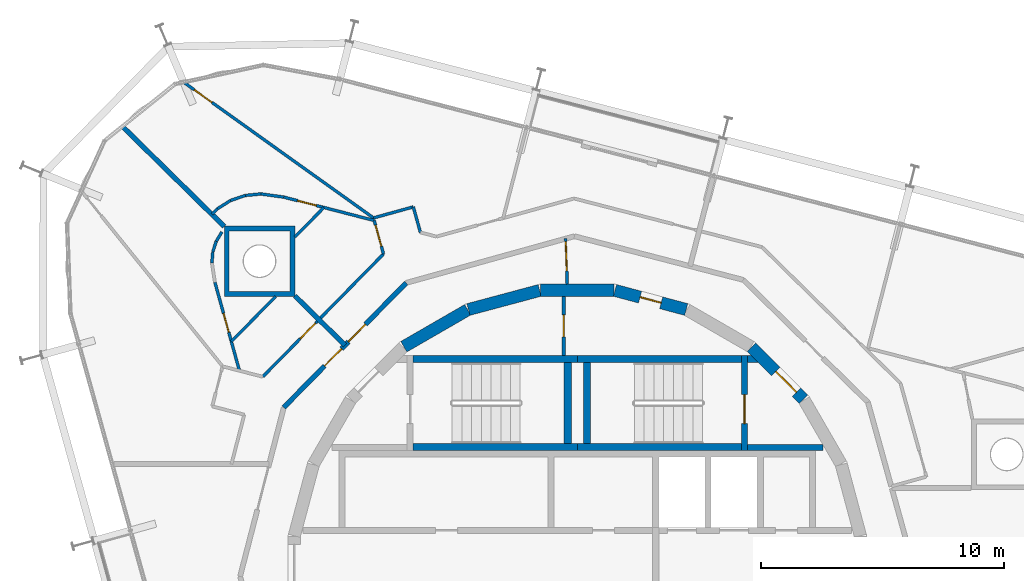
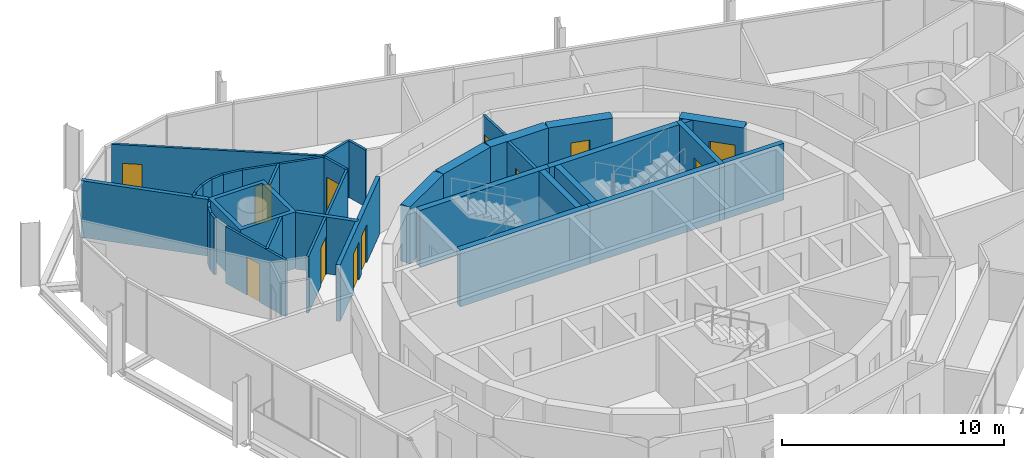
# One storey, part 13 of 15: 37 walls, 12 doors, 12 openings.
"""IFC4 building model written with IfcOpenShell, lengths in metres."""

from ifc_helpers import new_model, si_unit, direction, frame, frame_2d, origin, place, context, subcontext, project, spatial, polyline, rectangle, outline, extrude, material, layer, layer_set, type_object, element, fill, save


model = new_model("IFC4")

# Units and contexts
model_context = context("Model", 3, precision=1e-05, world=origin(), true_north=direction((0.0, 1.0)))
body_context = subcontext(model_context, "Body", "Model", "MODEL_VIEW")
ifc_project = project(units=[si_unit("LENGTHUNIT", "METRE"), si_unit("AREAUNIT", "SQUARE_METRE"), si_unit("VOLUMEUNIT", "CUBIC_METRE"), si_unit("PLANEANGLEUNIT", "RADIAN"), si_unit("MASSUNIT", "GRAM", prefix="KILO")], contexts=[model_context])

# Site, building, storey
site_placement = place(None, origin())
site = spatial("IfcSite", under=ifc_project, at=site_placement, CompositionType="ELEMENT")
building_placement = place(site_placement, origin())
building = spatial("IfcBuilding", under=site, at=building_placement, Name="Spindle Arch Residences", CompositionType="ELEMENT")
storey_placement = place(building_placement, frame((0.0, 0.0, 305.199951171875)))
storey = spatial("IfcBuildingStorey", under=building, at=storey_placement, Name="L78", CompositionType="ELEMENT", Elevation=305.199951171875)

# Wall, opening, door
ifc_material_1 = material(Name="Concrete C50/60", Category="concrete")
ifc_layer_1 = layer(ifc_material_1, 0.5)
ifc_layer_set_1 = layer_set([ifc_layer_1], Name="Core outline wall 500")
wall_type_1 = type_object("IfcWallType", Name="Core outline wall 500", PredefinedType="SHEAR", material=ifc_layer_set_1)
wall_1_placement = place(storey_placement, frame((9.30810546875, 7.163818359375, 0.0), z_axis=(0.0, 0.0, 1.0), x_axis=(-0.707106781187, 0.707106781187, 0.0)))
wall_1 = element("IfcWall", 1, at=wall_1_placement, inside=storey, type_object=wall_type_1, Name="Core outline wall 9", PredefinedType="SHEAR", context=body_context, shape_type="SweptSolid", body=[
    extrude(rectangle(XDim=3.032470703125, YDim=0.5, at=frame_2d((1.51611328125, 0.0))), origin(), (0.0, 0.0, 1.0), 3.1201171875),
])
opening_1_placement = place(wall_1_placement, frame((0.416259765625, 0.0, 0.0)))
opening_1 = element("IfcOpeningElement", 2, at=opening_1_placement, cuts=wall_1, Name="Opening R8A0-AD01", PredefinedType="OPENING", context=body_context, shape_type="SweptSolid", body=[
    extrude(rectangle(XDim=1.199951171875, YDim=2.10009765625, at=frame_2d((0.60009765625, 1.050048828125))), frame((0.0, 0.260009765625, 0.0), z_axis=(0.0, -1.0, 0.0), x_axis=(1.0, 0.0, 0.0)), (0.0, 0.0, 1.0), 0.52001953125),
])
ifc_material_2 = material(Name="Steel, fire-resisting door", Category="steel")
door_type_1 = type_object("IfcDoorType", Name="Stair airlock door 1200x2100", OperationType="SINGLE_SWING_LEFT", PredefinedType="DOOR", material=ifc_material_2)
door_1_placement = place(opening_1_placement, origin())
door_1 = element("IfcDoor", 3, at=door_1_placement, inside=storey, type_object=door_type_1, Name="Stair airlock door R8A0-AD01", OperationType="SINGLE_SWING_RIGHT", OverallHeight=2.10009765625, OverallWidth=1.199951171875, PredefinedType="DOOR", context=body_context, shape_type="SweptSolid", body=[
    extrude(rectangle(XDim=1.199951171875, YDim=2.10009765625, at=frame_2d((0.60009765625, 1.050048828125))), frame((0.0, 0.02490234375, 0.0), z_axis=(0.0, -1.0, 0.0), x_axis=(1.0, 0.0, 0.0)), (0.0, 0.0, 1.0), 0.050048828125),
])
fill(opening_1, door_1)

wall_2_placement = place(storey_placement, frame((4.479248046875, 10.858154296875, 0.0), z_axis=(0.0, 0.0, 1.0), x_axis=(-0.965948410781, 0.258734743916, 0.0)))
wall_2 = element("IfcWall", 4, at=wall_2_placement, inside=storey, type_object=wall_type_1, Name="Core outline wall 11", PredefinedType="SHEAR", context=body_context, shape_type="SweptSolid", body=[
    extrude(rectangle(XDim=3.03271484375, YDim=0.5, at=frame_2d((1.516357421875, 0.0))), origin(), (0.0, 0.0, 1.0), 3.1201171875),
])
opening_2_placement = place(wall_2_placement, frame((1.066162109375, 0.0, 0.0)))
opening_2 = element("IfcOpeningElement", 5, at=opening_2_placement, cuts=wall_2, Name="Opening R8A0-WD11", PredefinedType="OPENING", context=body_context, shape_type="SweptSolid", body=[
    extrude(rectangle(XDim=0.89990234375, YDim=2.10009765625, at=frame_2d((0.449951171875, 1.050048828125))), frame((0.0, 0.260009765625, 0.0), z_axis=(0.0, -1.0, 0.0), x_axis=(1.0, 0.0, 0.0)), (0.0, 0.0, 1.0), 0.52001953125),
])
ifc_material_3 = material(Name="Steel, fire-resisting door", Category="steel")
door_type_2 = type_object("IfcDoorType", Name="Service room door 900x2100", OperationType="SINGLE_SWING_LEFT", PredefinedType="DOOR", material=ifc_material_3)
door_2_placement = place(opening_2_placement, origin())
door_2 = element("IfcDoor", 6, at=door_2_placement, inside=storey, type_object=door_type_2, Name="Service room door R8A0-WD11", OperationType="SINGLE_SWING_LEFT", OverallHeight=2.10009765625, OverallWidth=0.89990234375, PredefinedType="DOOR", context=body_context, shape_type="SweptSolid", body=[
    extrude(rectangle(XDim=0.89990234375, YDim=2.10009765625, at=frame_2d((0.449951171875, 1.050048828125))), frame((0.0, 0.02490234375, 0.0), z_axis=(0.0, -1.0, 0.0), x_axis=(1.0, 0.0, 0.0)), (0.0, 0.0, 1.0), 0.050048828125),
])
fill(opening_2, door_2)

# Walls
for number, where, z_axis, x_axis, name in (
    (7, (1.516357421875, 11.647216796875, 0.0), (0.0, 0.0, 1.0), (-1.0, 0.0, 0.0), "Core outline wall 12"),
    (8, (-1.5498046875, 11.642822265625, 0.0), (0.0, 0.0, 1.0), (-0.965948410781, -0.258734743916, 0.0), "Core outline wall 13"),
    (9, (-4.510498046875, 10.84521484375, 0.0), (0.0, 0.0, 1.0), (-0.865975092491, -0.500087131594, 0.0), "Core outline wall 14"),
):
    element("IfcWall", number, at=place(storey_placement, frame(where, z_axis=z_axis, x_axis=x_axis)), inside=storey, type_object=wall_type_1, Name=name, PredefinedType="SHEAR", context=body_context, shape_type="SweptSolid", body=[
        extrude(rectangle(XDim=3.03271484375, YDim=0.5, at=frame_2d((1.516357421875, 0.0))), origin(), (0.0, 0.0, 1.0), 3.1201171875),
    ])

# Wall, opening, door
ifc_material_4 = material(Name="Plasterboard on steel studs", Category="steel")
ifc_layer_2 = layer(ifc_material_4, 0.1201171875)
ifc_layer_set_2 = layer_set([ifc_layer_2], Name="Corridor division wall 120")
wall_type_2 = type_object("IfcWallType", Name="Corridor division wall 120", PredefinedType="PARTITIONING", material=ifc_layer_set_2)
wall_3_placement = place(storey_placement, frame((-0.48095703125, 13.7724609375, 0.0), z_axis=(0.0, 0.0, 1.0), x_axis=(0.034870071203, -0.999391854146, 0.0)))
wall_3 = element("IfcWall", 10, at=wall_3_placement, inside=storey, type_object=wall_type_2, Name="Corridor division wall R8A0-W001", PredefinedType="PARTITIONING", context=body_context, shape_type="SweptSolid", body=[
    extrude(rectangle(XDim=1.87646484375, YDim=0.1201171875, at=frame_2d((0.938232421875, 0.0))), origin(), (0.0, 0.0, 1.0), 3.1201171875),
])
opening_3_placement = place(wall_3_placement, frame((0.125, 0.0, 0.0)))
opening_3 = element("IfcOpeningElement", 11, at=opening_3_placement, cuts=wall_3, Name="Opening R8A0-CD01", PredefinedType="OPENING", context=body_context, shape_type="SweptSolid", body=[
    extrude(rectangle(XDim=1.199951171875, YDim=2.10009765625, at=frame_2d((0.60009765625, 1.050048828125))), frame((0.0, 0.070068359375, 0.0), z_axis=(0.0, -1.0, 0.0), x_axis=(1.0, 0.0, 0.0)), (0.0, 0.0, 1.0), 0.14013671875),
])
ifc_material_5 = material(Name="Steel, fire-resisting door", Category="steel")
door_type_3 = type_object("IfcDoorType", Name="Corridor division door 1200x2100", OperationType="NOTDEFINED", PredefinedType="DOOR", material=ifc_material_5)
door_3_placement = place(opening_3_placement, origin())
door_3 = element("IfcDoor", 12, at=door_3_placement, inside=storey, type_object=door_type_3, Name="Corridor division door R8A0-CD01", OperationType="DOUBLE_DOOR_SINGLE_SWING", OverallHeight=2.10009765625, OverallWidth=1.199951171875, PredefinedType="DOOR", context=body_context, shape_type="SweptSolid", body=[
    extrude(rectangle(XDim=1.199951171875, YDim=2.10009765625, at=frame_2d((0.60009765625, 1.050048828125))), frame((0.0, 0.02490234375, 0.0), z_axis=(0.0, -1.0, 0.0), x_axis=(1.0, 0.0, 0.0)), (0.0, 0.0, 1.0), 0.050048828125),
])
fill(opening_3, door_3)

# Wall, openings, doors
ifc_material_6 = material(Name="Calcium silicate block, plastered")
ifc_layer_3 = layer(ifc_material_6, 0.199951171875)
ifc_layer_set_3 = layer_set([ifc_layer_3], Name="Corridor wall 200")
wall_type_3 = type_object("IfcWallType", Name="Corridor wall 200", PredefinedType="STANDARD", material=ifc_layer_set_3)
wall_4_placement = place(storey_placement, frame((-7.041015625, 11.953125, 0.0), z_axis=(0.0, 0.0, 1.0), x_axis=(-0.70090916255, -0.713250549143, 0.0)))
wall_4 = element("IfcWall", 13, at=wall_4_placement, inside=storey, type_object=wall_type_3, Name="Corridor wall R8A0-W012", PredefinedType="STANDARD", context=body_context, shape_type="SweptSolid", body=[
    extrude(rectangle(XDim=7.180908203125, YDim=0.199951171875, at=frame_2d((3.59033203125, 0.0))), origin(), (0.0, 0.0, 1.0), 3.1201171875),
])
opening_4_placement = place(wall_4_placement, frame((2.390380859375, 0.0, 0.0)))
opening_4 = element("IfcOpeningElement", 14, at=opening_4_placement, cuts=wall_4, Name="Opening R8A0-FD02", PredefinedType="OPENING", context=body_context, shape_type="SweptSolid", body=[
    extrude(rectangle(XDim=1.0, YDim=2.10009765625, at=frame_2d((0.5, 1.050048828125))), frame((0.0, 0.10986328125, 0.0), z_axis=(0.0, -1.0, 0.0), x_axis=(1.0, 0.0, 0.0)), (0.0, 0.0, 1.0), 0.219970703125),
])
opening_5_placement = place(wall_4_placement, frame((3.79052734375, 0.0, 0.0)))
opening_5 = element("IfcOpeningElement", 15, at=opening_5_placement, cuts=wall_4, Name="Opening R8A0-FD03", PredefinedType="OPENING", context=body_context, shape_type="SweptSolid", body=[
    extrude(rectangle(XDim=1.0, YDim=2.10009765625, at=frame_2d((0.5, 1.050048828125))), frame((0.0, 0.10986328125, 0.0), z_axis=(0.0, -1.0, 0.0), x_axis=(1.0, 0.0, 0.0)), (0.0, 0.0, 1.0), 0.219970703125),
])
ifc_material_7 = material(Name="Timber, fire-resisting door set", Category="wood")
door_type_4 = type_object("IfcDoorType", Name="Flat entrance door 1000x2100", OperationType="NOTDEFINED", PredefinedType="DOOR", material=ifc_material_7)
door_4_placement = place(opening_4_placement, origin())
door_4 = element("IfcDoor", 16, at=door_4_placement, inside=storey, type_object=door_type_4, Name="Flat entrance door R8A0-FD02", OperationType="SINGLE_SWING_RIGHT", OverallHeight=2.10009765625, OverallWidth=1.0, PredefinedType="DOOR", context=body_context, shape_type="SweptSolid", body=[
    extrude(rectangle(XDim=1.0, YDim=2.10009765625, at=frame_2d((0.5, 1.050048828125))), frame((0.0, 0.02490234375, 0.0), z_axis=(0.0, -1.0, 0.0), x_axis=(1.0, 0.0, 0.0)), (0.0, 0.0, 1.0), 0.050048828125),
])
fill(opening_4, door_4)
door_5_placement = place(opening_5_placement, origin())
door_5 = element("IfcDoor", 17, at=door_5_placement, inside=storey, type_object=door_type_4, Name="Flat entrance door R8A0-FD03", OperationType="SINGLE_SWING_LEFT", OverallHeight=2.10009765625, OverallWidth=1.0, PredefinedType="DOOR", context=body_context, shape_type="SweptSolid", body=[
    extrude(rectangle(XDim=1.0, YDim=2.10009765625, at=frame_2d((0.5, 1.050048828125))), frame((0.0, 0.02490234375, 0.0), z_axis=(0.0, -1.0, 0.0), x_axis=(1.0, 0.0, 0.0)), (0.0, 0.0, 1.0), 0.050048828125),
])
fill(opening_5, door_5)

# Walls
ifc_material_8 = material(Name="Plasterboard on steel studs", Category="steel")
ifc_layer_4 = layer(ifc_material_8, 0.1201171875)
ifc_layer_set_4 = layer_set([ifc_layer_4], Name="Flat partition 120")
wall_type_4 = type_object("IfcWallType", Name="Flat partition 120", PredefinedType="PARTITIONING", material=ifc_layer_set_4)
wall_5_placement = place(storey_placement, frame((-6.45458984375, 14.027587890625, 0.0), z_axis=(0.0, 0.0, 1.0), x_axis=(-0.267355376842, 0.963597998376, 0.0)))
element("IfcWall", 18, at=wall_5_placement, inside=storey, type_object=wall_type_4, Name="Flat partition R8A0-W046", PredefinedType="PARTITIONING", context=body_context, shape_type="SweptSolid", body=[
    extrude(rectangle(XDim=1.09130859375, YDim=0.1201171875, at=frame_2d((0.545654296875, 0.0))), origin(), (0.0, 0.0, 1.0), 3.1201171875),
])
wall_6_placement = place(storey_placement, frame((-6.746337890625, 15.0791015625, 0.0), z_axis=(0.0, 0.0, 1.0), x_axis=(-0.963624820233, -0.267258687102, 0.0)))
element("IfcWall", 19, at=wall_6_placement, inside=storey, type_object=wall_type_4, Name="Flat partition R8A0-W047", PredefinedType="PARTITIONING", context=body_context, shape_type="SweptSolid", body=[
    extrude(rectangle(XDim=1.699951171875, YDim=0.1201171875, at=frame_2d((0.85009765625, 0.0))), origin(), (0.0, 0.0, 1.0), 3.1201171875),
])

# Wall, opening, door
wall_7_placement = place(storey_placement, frame((-8.35498046875, 14.51904296875, 0.0), z_axis=(0.0, 0.0, 1.0), x_axis=(0.267052638692, -0.963681943469, 0.0)))
wall_7 = element("IfcWall", 20, at=wall_7_placement, inside=storey, type_object=wall_type_4, Name="Flat partition R8A0-W048", PredefinedType="PARTITIONING", context=body_context, shape_type="SweptSolid", body=[
    extrude(rectangle(XDim=1.427001953125, YDim=0.1201171875, at=frame_2d((0.71337890625, 0.0))), origin(), (0.0, 0.0, 1.0), 3.1201171875),
])
opening_6_placement = place(wall_7_placement, frame((0.199951171875, 0.0, 0.0)))
opening_6 = element("IfcOpeningElement", 21, at=opening_6_placement, cuts=wall_7, Name="Opening R8A0-ID07", PredefinedType="OPENING", context=body_context, shape_type="SweptSolid", body=[
    extrude(rectangle(XDim=0.89990234375, YDim=2.10009765625, at=frame_2d((0.449951171875, 1.050048828125))), frame((0.0, 0.070068359375, 0.0), z_axis=(0.0, -1.0, 0.0), x_axis=(1.0, 0.0, 0.0)), (0.0, 0.0, 1.0), 0.14013671875),
])
ifc_material_9 = material(Name="Timber door set", Category="wood")
door_type_5 = type_object("IfcDoorType", Name="Room door 900x2100", OperationType="NOTDEFINED", PredefinedType="DOOR", material=ifc_material_9)
door_6_placement = place(opening_6_placement, origin())
door_6 = element("IfcDoor", 22, at=door_6_placement, inside=storey, type_object=door_type_5, Name="Room door R8A0-ID07", OperationType="SINGLE_SWING_LEFT", OverallHeight=2.10009765625, OverallWidth=0.89990234375, PredefinedType="DOOR", context=body_context, shape_type="SweptSolid", body=[
    extrude(rectangle(XDim=0.89990234375, YDim=2.10009765625, at=frame_2d((0.449951171875, 1.050048828125))), frame((0.0, 0.02490234375, 0.0), z_axis=(0.0, -1.0, 0.0), x_axis=(1.0, 0.0, 0.0)), (0.0, 0.0, 1.0), 0.050048828125),
])
fill(opening_6, door_6)

wall_8_placement = place(storey_placement, frame((-7.973876953125, 13.143798828125, 0.0), z_axis=(0.0, 0.0, 1.0), x_axis=(-0.700910366085, -0.713249366432, 0.0)))
wall_8 = element("IfcWall", 23, at=wall_8_placement, inside=storey, type_object=wall_type_4, Name="Flat partition R8A0-W049", PredefinedType="PARTITIONING", context=body_context, shape_type="SweptSolid", body=[
    extrude(rectangle(XDim=7.08349609375, YDim=0.1201171875, at=frame_2d((3.541748046875, 0.0))), origin(), (0.0, 0.0, 1.0), 3.1201171875),
])
opening_7_placement = place(wall_8_placement, frame((3.986083984375, 0.0, 0.0)))
opening_7 = element("IfcOpeningElement", 24, at=opening_7_placement, cuts=wall_8, Name="Opening R8A0-ID09", PredefinedType="OPENING", context=body_context, shape_type="SweptSolid", body=[
    extrude(rectangle(XDim=0.89990234375, YDim=2.10009765625, at=frame_2d((0.449951171875, 1.050048828125))), frame((0.0, 0.070068359375, 0.0), z_axis=(0.0, -1.0, 0.0), x_axis=(1.0, 0.0, 0.0)), (0.0, 0.0, 1.0), 0.14013671875),
])
door_7_placement = place(opening_7_placement, origin())
door_7 = element("IfcDoor", 25, at=door_7_placement, inside=storey, type_object=door_type_5, Name="Room door R8A0-ID09", OperationType="SINGLE_SWING_LEFT", OverallHeight=2.10009765625, OverallWidth=0.89990234375, PredefinedType="DOOR", context=body_context, shape_type="SweptSolid", body=[
    extrude(rectangle(XDim=0.89990234375, YDim=2.10009765625, at=frame_2d((0.449951171875, 1.050048828125))), frame((0.0, 0.02490234375, 0.0), z_axis=(0.0, -1.0, 0.0), x_axis=(1.0, 0.0, 0.0)), (0.0, 0.0, 1.0), 0.050048828125),
])
fill(opening_7, door_7)

wall_9_placement = place(storey_placement, frame((-16.165283203125, 20.18798828125, 0.0), z_axis=(0.0, 0.0, 1.0), x_axis=(0.813459166979, -0.581622028175, 0.0)))
wall_9 = element("IfcWall", 26, at=wall_9_placement, inside=storey, type_object=wall_type_4, Name="Flat partition R8A0-W051", PredefinedType="PARTITIONING", context=body_context, shape_type="SweptSolid", body=[
    extrude(rectangle(XDim=9.56494140625, YDim=0.1201171875, at=frame_2d((4.782470703125, 0.0))), origin(), (0.0, 0.0, 1.0), 3.1201171875),
])
opening_8_placement = place(wall_9_placement, frame((0.5, 0.0, 0.0)))
opening_8 = element("IfcOpeningElement", 27, at=opening_8_placement, cuts=wall_9, Name="Opening R8A0-ID08", PredefinedType="OPENING", context=body_context, shape_type="SweptSolid", body=[
    extrude(rectangle(XDim=0.89990234375, YDim=2.10009765625, at=frame_2d((0.449951171875, 1.050048828125))), frame((0.0, 0.070068359375, 0.0), z_axis=(0.0, -1.0, 0.0), x_axis=(1.0, 0.0, 0.0)), (0.0, 0.0, 1.0), 0.14013671875),
])
door_8_placement = place(opening_8_placement, origin())
door_8 = element("IfcDoor", 28, at=door_8_placement, inside=storey, type_object=door_type_5, Name="Room door R8A0-ID08", OperationType="SINGLE_SWING_RIGHT", OverallHeight=2.10009765625, OverallWidth=0.89990234375, PredefinedType="DOOR", context=body_context, shape_type="SweptSolid", body=[
    extrude(rectangle(XDim=0.89990234375, YDim=2.10009765625, at=frame_2d((0.449951171875, 1.050048828125))), frame((0.0, 0.02490234375, 0.0), z_axis=(0.0, -1.0, 0.0), x_axis=(1.0, 0.0, 0.0)), (0.0, 0.0, 1.0), 0.050048828125),
])
fill(opening_8, door_8)

wall_10_placement = place(storey_placement, frame((-8.35498046875, 14.51904296875, 0.0), z_axis=(0.0, 0.0, 1.0), x_axis=(-0.968146911612, 0.250382821969, 0.0)))
wall_10 = element("IfcWall", 29, at=wall_10_placement, inside=storey, type_object=wall_type_4, Name="Flat partition R8A0-W052", PredefinedType="PARTITIONING", context=body_context, shape_type="SweptSolid", body=[
    extrude(rectangle(XDim=3.8466796875, YDim=0.1201171875, at=frame_2d((1.92333984375, 0.0))), origin(), (0.0, 0.0, 1.0), 3.1201171875),
])
opening_9_placement = place(wall_10_placement, frame((2.458251953125, 0.0, 0.0)))
opening_9 = element("IfcOpeningElement", 30, at=opening_9_placement, cuts=wall_10, Name="Opening R8A0-BD02", PredefinedType="OPENING", context=body_context, shape_type="SweptSolid", body=[
    extrude(rectangle(XDim=0.800048828125, YDim=2.10009765625, at=frame_2d((0.39990234375, 1.050048828125))), frame((0.0, 0.070068359375, 0.0), z_axis=(0.0, -1.0, 0.0), x_axis=(1.0, 0.0, 0.0)), (0.0, 0.0, 1.0), 0.14013671875),
])
ifc_material_10 = material(Name="Timber door set", Category="wood")
door_type_6 = type_object("IfcDoorType", Name="Bathroom door 800x2100", OperationType="NOTDEFINED", PredefinedType="DOOR", material=ifc_material_10)
door_9_placement = place(opening_9_placement, origin())
door_9 = element("IfcDoor", 31, at=door_9_placement, inside=storey, type_object=door_type_6, Name="Bathroom door R8A0-BD02", OperationType="SINGLE_SWING_LEFT", OverallHeight=2.10009765625, OverallWidth=0.800048828125, PredefinedType="DOOR", context=body_context, shape_type="SweptSolid", body=[
    extrude(rectangle(XDim=0.800048828125, YDim=2.10009765625, at=frame_2d((0.39990234375, 1.050048828125))), frame((0.0, 0.02490234375, 0.0), z_axis=(0.0, -1.0, 0.0), x_axis=(1.0, 0.0, 0.0)), (0.0, 0.0, 1.0), 0.050048828125),
])
fill(opening_9, door_9)

# Walls
wall_11_placement = place(storey_placement, frame((-10.42529296875, 15.054443359375, 0.0), z_axis=(0.0, 0.0, 1.0), x_axis=(-0.700866383264, -0.713292585698, 0.0)))
element("IfcWall", 32, at=wall_11_placement, inside=storey, type_object=wall_type_4, Name="Flat partition R8A0-W053", PredefinedType="PARTITIONING", context=body_context, shape_type="SweptSolid", body=[
    extrude(rectangle(XDim=1.709228515625, YDim=0.1201171875, at=frame_2d((0.8544921875, 0.0))), origin(), (0.0, 0.0, 1.0), 3.1201171875),
])
wall_12_placement = place(storey_placement, frame((-15.031982421875, 14.771728515625, 0.0), z_axis=(0.0, 0.0, 1.0), x_axis=(0.701378407906, 0.712789119532, 0.0)))
element("IfcWall", 33, at=wall_12_placement, inside=storey, type_object=wall_type_4, Name="Flat partition R8A0-W054", PredefinedType="PARTITIONING", context=body_context, shape_type="SweptSolid", body=[
    extrude(rectangle(XDim=0.321044921875, YDim=0.1201171875, at=frame_2d((0.16064453125, 0.0))), origin(), (0.0, 0.0, 1.0), 3.1201171875),
])
wall_13_placement = place(storey_placement, frame((-14.806884765625, 15.00048828125, 0.0), z_axis=(0.0, 0.0, 1.0), x_axis=(0.846499451836, 0.532389592349, 0.0)))
element("IfcWall", 34, at=wall_13_placement, inside=storey, type_object=wall_type_4, Name="Flat partition R8A0-W055", PredefinedType="PARTITIONING", context=body_context, shape_type="SweptSolid", body=[
    extrude(rectangle(XDim=0.64208984375, YDim=0.1201171875, at=frame_2d((0.321044921875, 0.0))), origin(), (0.0, 0.0, 1.0), 3.1201171875),
])
for number, where, z_axis, x_axis, name in (
    (35, (-14.263427734375, 15.34228515625, 0.0), (0.0, 0.0, 1.0), (0.946415093137, 0.322952738775, 0.0), "Flat partition R8A0-W056"),
    (36, (-13.656005859375, 15.549560546875, 0.0), (0.0, 0.0, 1.0), (0.995395778839, 0.095850109388, 0.0), "Flat partition R8A0-W057"),
):
    element("IfcWall", number, at=place(storey_placement, frame(where, z_axis=z_axis, x_axis=x_axis)), inside=storey, type_object=wall_type_4, Name=name, PredefinedType="PARTITIONING", context=body_context, shape_type="SweptSolid", body=[
        extrude(rectangle(XDim=0.641845703125, YDim=0.1201171875, at=frame_2d((0.32080078125, 0.0))), origin(), (0.0, 0.0, 1.0), 3.1201171875),
    ])
wall_14_placement = place(storey_placement, frame((-13.01708984375, 15.611083984375, 0.0), z_axis=(0.0, 0.0, 1.0), x_axis=(0.990688406717, -0.136148745119, 0.0)))
element("IfcWall", 37, at=wall_14_placement, inside=storey, type_object=wall_type_4, Name="Flat partition R8A0-W058", PredefinedType="PARTITIONING", context=body_context, shape_type="SweptSolid", body=[
    extrude(rectangle(XDim=0.94677734375, YDim=0.1201171875, at=frame_2d((0.473388671875, 0.0))), origin(), (0.0, 0.0, 1.0), 3.1201171875),
])

# Wall, opening, door
wall_15_placement = place(storey_placement, frame((-13.898681640625, 8.33984375, 0.0), z_axis=(0.0, 0.0, 1.0), x_axis=(-0.267286775597, 0.963617029525, 0.0)))
wall_15 = element("IfcWall", 38, at=wall_15_placement, inside=storey, type_object=wall_type_4, Name="Flat partition R8A0-W063", PredefinedType="PARTITIONING", context=body_context, shape_type="SweptSolid", body=[
    extrude(rectangle(XDim=3.773193359375, YDim=0.1201171875, at=frame_2d((1.88671875, 0.0))), origin(), (0.0, 0.0, 1.0), 3.1201171875),
])
opening_10_placement = place(wall_15_placement, frame((1.645751953125, 0.0, 0.0)))
opening_10 = element("IfcOpeningElement", 39, at=opening_10_placement, cuts=wall_15, Name="Opening R8A0-BD03", PredefinedType="OPENING", context=body_context, shape_type="SweptSolid", body=[
    extrude(rectangle(XDim=0.800048828125, YDim=2.10009765625, at=frame_2d((0.39990234375, 1.050048828125))), frame((0.0, 0.070068359375, 0.0), z_axis=(0.0, -1.0, 0.0), x_axis=(1.0, 0.0, 0.0)), (0.0, 0.0, 1.0), 0.14013671875),
])
door_10_placement = place(opening_10_placement, origin())
door_10 = element("IfcDoor", 40, at=door_10_placement, inside=storey, type_object=door_type_6, Name="Bathroom door R8A0-BD03", OperationType="SINGLE_SWING_RIGHT", OverallHeight=2.10009765625, OverallWidth=0.800048828125, PredefinedType="DOOR", context=body_context, shape_type="SweptSolid", body=[
    extrude(rectangle(XDim=0.800048828125, YDim=2.10009765625, at=frame_2d((0.39990234375, 1.050048828125))), frame((0.0, 0.02490234375, 0.0), z_axis=(0.0, -1.0, 0.0), x_axis=(1.0, 0.0, 0.0)), (0.0, 0.0, 1.0), 0.050048828125),
])
fill(opening_10, door_10)

# Walls
for number, where, z_axis, x_axis, name in (
    (41, (-15.031005859375, 12.773193359375, 0.0), (0.0, 0.0, 1.0), (0.078379560664, 0.996923590086, 0.0), "Flat partition R8A0-W065"),
    (42, (-14.995361328125, 13.2265625, 0.0), (0.0, 0.0, 1.0), (0.30590494568, 0.952062059011, 0.0), "Flat partition R8A0-W066"),
    (43, (-14.856201171875, 13.65966796875, 0.0), (0.0, 0.0, 1.0), (0.517885366955, 0.855450025831, 0.0), "Flat partition R8A0-W067"),
):
    element("IfcWall", number, at=place(storey_placement, frame(where, z_axis=z_axis, x_axis=x_axis)), inside=storey, type_object=wall_type_4, Name=name, PredefinedType="PARTITIONING", context=body_context, shape_type="SweptSolid", body=[
        extrude(rectangle(XDim=0.454833984375, YDim=0.1201171875, at=frame_2d((0.2275390625, 0.0))), origin(), (0.0, 0.0, 1.0), 3.1201171875),
    ])
wall_16_placement = place(storey_placement, frame((-14.231689453125, 9.540283203125, 0.0), z_axis=(0.0, 0.0, 1.0), x_axis=(0.700890401548, 0.713268985038, 0.0)))
element("IfcWall", 44, at=wall_16_placement, inside=storey, type_object=wall_type_4, Name="Flat partition R8A0-W069", PredefinedType="PARTITIONING", context=body_context, shape_type="SweptSolid", body=[
    extrude(rectangle(XDim=2.603515625, YDim=0.1201171875, at=frame_2d((1.3017578125, 0.0))), origin(), (0.0, 0.0, 1.0), 3.1201171875),
])
ifc_material_11 = material(Name="Calcium silicate block, plastered")
ifc_layer_5 = layer(ifc_material_11, 0.199951171875)
ifc_layer_set_5 = layer_set([ifc_layer_5], Name="Flat party wall 200")
wall_type_5 = type_object("IfcWallType", Name="Flat party wall 200", PredefinedType="STANDARD", material=ifc_layer_set_5)
wall_17_placement = place(storey_placement, frame((-11.623291015625, 11.422119140625, 0.0), z_axis=(0.0, 0.0, 1.0), x_axis=(0.713233657229, -0.700926351478, 0.0)))
element("IfcWall", 45, at=wall_17_placement, inside=storey, type_object=wall_type_5, Name="Flat party wall R8A0-W026", PredefinedType="STANDARD", context=body_context, shape_type="SweptSolid", body=[
    extrude(rectangle(XDim=2.896240234375, YDim=0.199951171875, at=frame_2d((1.4482421875, 0.0))), origin(), (0.0, 0.0, 1.0), 3.1201171875),
])
wall_18_placement = place(storey_placement, frame((-18.74072265625, 18.41650390625, 0.0), z_axis=(0.0, 0.0, 1.0), x_axis=(0.713252414586, -0.700907264256, 0.0)))
element("IfcWall", 46, at=wall_18_placement, inside=storey, type_object=wall_type_5, Name="Flat party wall R8A0-W027", PredefinedType="STANDARD", context=body_context, shape_type="SweptSolid", body=[
    extrude(rectangle(XDim=5.9130859375, YDim=0.199951171875, at=frame_2d((2.95654296875, 0.0))), origin(), (0.0, 0.0, 1.0), 3.1201171875),
])
ifc_material_12 = material(Name="Calcium silicate block, plastered")
ifc_layer_6 = layer(ifc_material_12, 0.199951171875)
ifc_layer_set_6 = layer_set([ifc_layer_6], Name="Mega-column casing wall 200")
wall_type_6 = type_object("IfcWallType", Name="Mega-column casing wall 200", PredefinedType="STANDARD", material=ifc_layer_set_6)
wall_19_placement = place(storey_placement, origin())
element("IfcWall", 47, at=wall_19_placement, inside=storey, type_object=wall_type_6, Name="Mega-column casing wall R8A0-WC02", PredefinedType="STANDARD", context=body_context, shape_type="SweptSolid", body=[
    extrude(outline(polyline([(-11.623291015625, 14.297119140625), (-11.623291015625, 11.397216796875), (-14.523193359375, 11.397216796875), (-14.523193359375, 14.297119140625), (-11.623291015625, 14.297119140625)]), holes=[polyline([(-14.3232421875, 11.59716796875), (-11.8232421875, 11.59716796875), (-11.8232421875, 14.09716796875), (-14.3232421875, 14.09716796875), (-14.3232421875, 11.59716796875)])]), origin(), (0.0, 0.0, 1.0), 3.1201171875),
])

# Wall, opening, door
ifc_material_13 = material(Name="Concrete C25/30", Category="concrete")
ifc_layer_7 = layer(ifc_material_13, 0.14990234375)
ifc_layer_set_7 = layer_set([ifc_layer_7], Name="Service room partition 150")
wall_type_7 = type_object("IfcWallType", Name="Service room partition 150", PredefinedType="PARTITIONING", material=ifc_layer_set_7)
wall_20_placement = place(storey_placement, frame((-0.5615234375, 8.969970703125, 0.0), z_axis=(0.0, 0.0, 1.0), x_axis=(0.0, 1.0, 0.0)))
wall_20 = element("IfcWall", 48, at=wall_20_placement, inside=storey, type_object=wall_type_7, Name="Core service room partition", PredefinedType="PARTITIONING", context=body_context, shape_type="SweptSolid", body=[
    extrude(rectangle(XDim=2.42724609375, YDim=0.14990234375, at=frame_2d((1.213623046875, 0.0))), origin(), (0.0, 0.0, 1.0), 3.1201171875),
])
opening_11_placement = place(wall_20_placement, frame((0.763671875, 0.0, 0.0)))
opening_11 = element("IfcOpeningElement", 49, at=opening_11_placement, cuts=wall_20, Name="Opening R8A0-WD06", PredefinedType="OPENING", context=body_context, shape_type="SweptSolid", body=[
    extrude(rectangle(XDim=0.89990234375, YDim=2.10009765625, at=frame_2d((0.449951171875, 1.050048828125))), frame((0.0, 0.0849609375, 0.0), z_axis=(0.0, -1.0, 0.0), x_axis=(1.0, 0.0, 0.0)), (0.0, 0.0, 1.0), 0.169921875),
])
door_11_placement = place(opening_11_placement, origin())
door_11 = element("IfcDoor", 50, at=door_11_placement, inside=storey, type_object=door_type_2, Name="Service room door R8A0-WD06", OperationType="SINGLE_SWING_RIGHT", OverallHeight=2.10009765625, OverallWidth=0.89990234375, PredefinedType="DOOR", context=body_context, shape_type="SweptSolid", body=[
    extrude(rectangle(XDim=0.89990234375, YDim=2.10009765625, at=frame_2d((0.449951171875, 1.050048828125))), frame((0.0, 0.02490234375, 0.0), z_axis=(0.0, -1.0, 0.0), x_axis=(1.0, 0.0, 0.0)), (0.0, 0.0, 1.0), 0.050048828125),
])
fill(opening_11, door_11)

# Walls
ifc_material_14 = material(Name="Concrete C40/50", Category="concrete")
ifc_layer_8 = layer(ifc_material_14, 0.25)
ifc_layer_set_8 = layer_set([ifc_layer_8], Name="Stair airlock wall 250")
wall_type_8 = type_object("IfcWallType", Name="Stair airlock wall 250", PredefinedType="SHEAR", material=ifc_layer_set_8)
wall_21_placement = place(storey_placement, frame((7.0, 5.175048828125, 0.0), z_axis=(0.0, 0.0, 1.0), x_axis=(1.0, 0.0, 0.0)))
element("IfcWall", 51, at=wall_21_placement, inside=storey, type_object=wall_type_8, Name="Stair ST-1 airlock wall S", PredefinedType="SHEAR", context=body_context, shape_type="SweptSolid", body=[
    extrude(rectangle(XDim=3.10009765625, YDim=0.25, at=frame_2d((1.550048828125, 0.0))), origin(), (0.0, 0.0, 1.0), 3.1201171875),
])
ifc_material_15 = material(Name="Concrete C40/50", Category="concrete")
wall_type_9 = type_object("IfcWallType", Name="Stair airlock wall profile", PredefinedType="SHEAR", material=ifc_material_15)
wall_22_placement = place(storey_placement, origin())
element("IfcWall", 52, at=wall_22_placement, inside=storey, type_object=wall_type_9, Name="Stair ST-1 airlock wall N", PredefinedType="SHEAR", context=body_context, shape_type="SweptSolid", body=[
    extrude(outline(polyline([(7.4482421875, 8.669921875), (7.0, 8.669921875), (7.0, 8.969970703125), (7.148193359375, 8.969970703125), (7.4482421875, 8.669921875)])), origin(), (0.0, 0.0, 1.0), 3.1201171875),
])

# Wall, opening, door
ifc_material_16 = material(Name="Concrete C50/60", Category="concrete")
ifc_layer_9 = layer(ifc_material_16, 0.25)
ifc_layer_set_9 = layer_set([ifc_layer_9], Name="Stair enclosure wall 250")
wall_type_10 = type_object("IfcWallType", Name="Stair enclosure wall 250", PredefinedType="SHEAR", material=ifc_layer_set_9)
wall_23_placement = place(storey_placement, frame((6.875, 5.050048828125, 0.0), z_axis=(0.0, 0.0, 1.0), x_axis=(0.0, 1.0, 0.0)))
wall_23 = element("IfcWall", 53, at=wall_23_placement, inside=storey, type_object=wall_type_10, Name="Stair ST-1 door wall", PredefinedType="SHEAR", context=body_context, shape_type="SweptSolid", body=[
    extrude(rectangle(XDim=3.919921875, YDim=0.25, at=frame_2d((1.9599609375, 0.0))), origin(), (0.0, 0.0, 1.0), 3.1201171875),
])
opening_12_placement = place(wall_23_placement, frame((1.110107421875, 0.0, 0.0)))
opening_12 = element("IfcOpeningElement", 54, at=opening_12_placement, cuts=wall_23, Name="Opening R8A0-SD01", PredefinedType="OPENING", context=body_context, shape_type="SweptSolid", body=[
    extrude(rectangle(XDim=1.199951171875, YDim=2.10009765625, at=frame_2d((0.60009765625, 1.050048828125))), frame((0.0, 0.135009765625, 0.0), z_axis=(0.0, -1.0, 0.0), x_axis=(1.0, 0.0, 0.0)), (0.0, 0.0, 1.0), 0.27001953125),
])
ifc_material_17 = material(Name="Steel, fire-resisting door", Category="steel")
door_type_7 = type_object("IfcDoorType", Name="Stair door 1200x2100", OperationType="SINGLE_SWING_RIGHT", PredefinedType="DOOR", material=ifc_material_17)
door_12_placement = place(opening_12_placement, origin())
door_12 = element("IfcDoor", 55, at=door_12_placement, inside=storey, type_object=door_type_7, Name="Stair door R8A0-SD01", OperationType="SINGLE_SWING_LEFT", OverallHeight=2.10009765625, OverallWidth=1.199951171875, PredefinedType="DOOR", context=body_context, shape_type="SweptSolid", body=[
    extrude(rectangle(XDim=1.199951171875, YDim=2.10009765625, at=frame_2d((0.60009765625, 1.050048828125))), frame((0.0, 0.02490234375, 0.0), z_axis=(0.0, -1.0, 0.0), x_axis=(1.0, 0.0, 0.0)), (0.0, 0.0, 1.0), 0.050048828125),
])
fill(opening_12, door_12)

# Walls
ifc_material_18 = material(Name="Concrete C50/60", Category="concrete")
ifc_layer_10 = layer(ifc_material_18, 0.300048828125)
ifc_layer_set_10 = layer_set([ifc_layer_10], Name="Stair enclosure wall 300")
wall_type_11 = type_object("IfcWallType", Name="Stair enclosure wall 300", PredefinedType="SHEAR", material=ifc_layer_set_10)
for number, where, z_axis, x_axis, name in (
    (56, (0.0, 5.199951171875, 0.0), (0.0, 0.0, 1.0), (1.0, 0.0, 0.0), "Stair ST-1 enclosure wall S"),
    (57, (0.0, 8.820068359375, 0.0), (0.0, 0.0, 1.0), (1.0, 0.0, 0.0), "Stair ST-1 enclosure wall N"),
):
    element("IfcWall", number, at=place(storey_placement, frame(where, z_axis=z_axis, x_axis=x_axis)), inside=storey, type_object=wall_type_11, Name=name, PredefinedType="SHEAR", context=body_context, shape_type="SweptSolid", body=[
        extrude(rectangle(XDim=6.75, YDim=0.300048828125, at=frame_2d((3.375, 0.0))), origin(), (0.0, 0.0, 1.0), 3.1201171875),
    ])
wall_24_placement = place(storey_placement, frame((0.39990234375, 5.35009765625, 0.0), z_axis=(0.0, 0.0, 1.0), x_axis=(0.0, 1.0, 0.0)))
element("IfcWall", 58, at=wall_24_placement, inside=storey, type_object=wall_type_11, Name="Stair ST-1 enclosure wall F", PredefinedType="SHEAR", context=body_context, shape_type="SweptSolid", body=[
    extrude(rectangle(XDim=3.31982421875, YDim=0.300048828125, at=frame_2d((1.659912109375, 0.0))), origin(), (0.0, 0.0, 1.0), 3.1201171875),
])
for number, where, z_axis, x_axis, name in (
    (59, (-6.75, 5.199951171875, 0.0), (0.0, 0.0, 1.0), (1.0, 0.0, 0.0), "Stair ST-2 enclosure wall S"),
    (60, (-6.75, 8.820068359375, 0.0), (0.0, 0.0, 1.0), (1.0, 0.0, 0.0), "Stair ST-2 enclosure wall N"),
):
    element("IfcWall", number, at=place(storey_placement, frame(where, z_axis=z_axis, x_axis=x_axis)), inside=storey, type_object=wall_type_11, Name=name, PredefinedType="SHEAR", context=body_context, shape_type="SweptSolid", body=[
        extrude(rectangle(XDim=6.75, YDim=0.300048828125, at=frame_2d((3.375, 0.0))), origin(), (0.0, 0.0, 1.0), 3.1201171875),
    ])
wall_25_placement = place(storey_placement, frame((-0.39990234375, 5.35009765625, 0.0), z_axis=(0.0, 0.0, 1.0), x_axis=(0.0, 1.0, 0.0)))
element("IfcWall", 61, at=wall_25_placement, inside=storey, type_object=wall_type_11, Name="Stair ST-2 enclosure wall F", PredefinedType="SHEAR", context=body_context, shape_type="SweptSolid", body=[
    extrude(rectangle(XDim=3.31982421875, YDim=0.300048828125, at=frame_2d((1.659912109375, 0.0))), origin(), (0.0, 0.0, 1.0), 3.1201171875),
])

save(model, "model.ifc")
